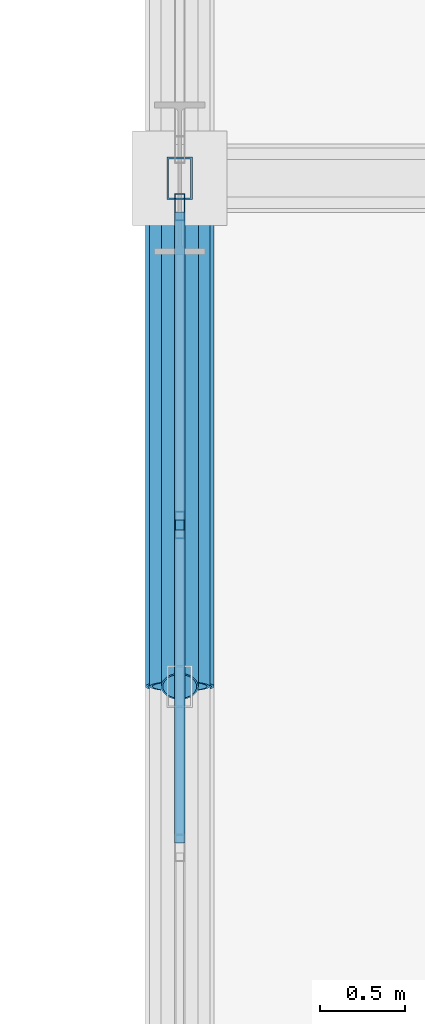
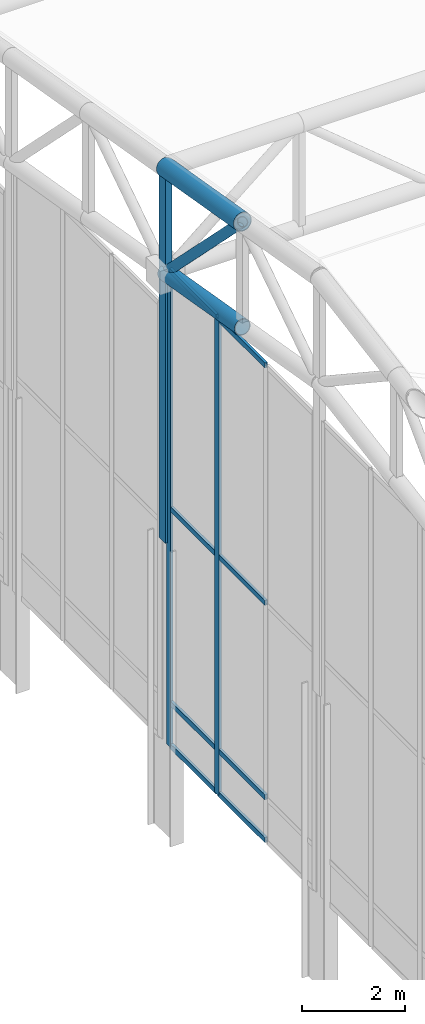
# One storey, part 86 of 239: 14 members, 1 element without a shape of its own.
"""IFC4 building model written with IfcOpenShell, lengths in metres."""

from ifc_helpers import new_model, si_unit, direction, frame, origin, origin_2d, place, context, subcontext, project, spatial, hollow_rectangle, hollow_circle, extrude, material, material_profile, profile_set, type_object, element, aggregate, save


model = new_model("IFC4")

# Units and contexts
model_context = context("Model", 3, precision=1e-05, world=origin(), true_north=direction((0.0, 1.0)))
body_context = subcontext(model_context, "Body", "Model", "MODEL_VIEW")
ifc_project = project(units=[si_unit("LENGTHUNIT", "METRE"), si_unit("AREAUNIT", "SQUARE_METRE"), si_unit("VOLUMEUNIT", "CUBIC_METRE"), si_unit("PLANEANGLEUNIT", "RADIAN"), si_unit("MASSUNIT", "GRAM", prefix="KILO")], contexts=[model_context])

# Site, building, storey
site_placement = place(None, origin())
site = spatial("IfcSite", under=ifc_project, at=site_placement, CompositionType="ELEMENT")
building_placement = place(site_placement, origin())
building = spatial("IfcBuilding", under=site, at=building_placement, Name="Kaldris Quays Convention Centre", CompositionType="ELEMENT")
storey_placement = place(building_placement, frame((0.0, 0.0, 11.39990234375)))
storey = spatial("IfcBuildingStorey", under=building, at=storey_placement, Name="L02", CompositionType="ELEMENT", Elevation=11.39990234375)

# Curtain wall, members
ifc_material_1 = material(Name="Anodized aluminium AW-6060 and triple glazing", Category="aluminium")
curtain_wall_type = type_object("IfcCurtainWallType", Name="UNITISED CURTAIN WALL CW03", PredefinedType="NOTDEFINED", material=ifc_material_1)
curtain_wall_placement = place(storey_placement, origin())
curtain_wall = element("IfcCurtainWall", 1, at=curtain_wall_placement, inside=storey, type_object=curtain_wall_type, Name="L02 Unitised Curtain Wall CW03 220", PredefinedType="NOTDEFINED")
ifc_material_2 = material(Name="Anodized aluminium AW-6060", Category="aluminium")
ifc_material_profile_1 = material_profile(ifc_material_2, hollow_rectangle(XDim=0.06005859375, YDim=0.159912109375, WallThickness=0.00390625, at=origin_2d()), Name="RHS 160x60x4")
ifc_profile_set_1 = profile_set([ifc_material_profile_1], Name="Anodized aluminium AW-6060")
member_type_1 = type_object("IfcMemberType", Name="CURTAIN MULLION CWM1", PredefinedType="MULLION", material=ifc_profile_set_1)
member_1_placement = place(storey_placement, frame((20.0, 101.953369140625, 2.195068359375), z_axis=(0.0, 0.0, 1.0), x_axis=(-1.0, 0.0, 0.0)))
member_1 = element("IfcMember", 2, at=member_1_placement, type_object=member_type_1, Name="CW03 mullion 3", PredefinedType="MULLION", context=body_context, shape_type="SweptSolid", body=[
    extrude(hollow_rectangle(XDim=0.06005859375, YDim=0.159912109375, WallThickness=0.00390625, at=origin_2d()), origin(), (0.0, 0.0, 1.0), 11.341064453125),
])
member_2_placement = place(storey_placement, frame((20.0, 103.830078125, 2.195068359375), z_axis=(0.0, 0.0, 1.0), x_axis=(-1.0, 0.0, 0.0)))
member_2 = element("IfcMember", 3, at=member_2_placement, type_object=member_type_1, Name="CW03 mullion 4", PredefinedType="MULLION", context=body_context, shape_type="SweptSolid", body=[
    extrude(hollow_rectangle(XDim=0.06005859375, YDim=0.159912109375, WallThickness=0.00390625, at=origin_2d()), origin(), (0.0, 0.0, 1.0), 11.341064453125),
])
ifc_material_profile_2 = material_profile(ifc_material_2, hollow_rectangle(XDim=0.06005859375, YDim=0.1201171875, WallThickness=0.00390625, at=origin_2d()), Name="RHS 120x60x4")
ifc_profile_set_2 = profile_set([ifc_material_profile_2], Name="Anodized aluminium AW-6060")
member_type_2 = type_object("IfcMemberType", Name="CURTAIN TRANSOM CWT1", PredefinedType="USERDEFINED", material=ifc_profile_set_2)
member_3_placement = place(storey_placement, frame((20.0, 100.07666015625, 2.22509765625), z_axis=(0.0, 1.0, 0.0), x_axis=(-1.0, 0.0, 0.0)))
member_3 = element("IfcMember", 4, at=member_3_placement, type_object=member_type_2, Name="CW03 transom 2.1", ObjectType="TRANSOM", PredefinedType="USERDEFINED", context=body_context, shape_type="SweptSolid", body=[
    extrude(hollow_rectangle(XDim=0.06005859375, YDim=0.1201171875, WallThickness=0.00390625, at=origin_2d()), origin(), (0.0, 0.0, 1.0), 1.8466796875),
])
member_4_placement = place(storey_placement, frame((20.0, 100.07666015625, 3.2451171875), z_axis=(0.0, 1.0, 0.0), x_axis=(-1.0, 0.0, 0.0)))
member_4 = element("IfcMember", 5, at=member_4_placement, type_object=member_type_2, Name="CW03 transom 2.2", ObjectType="TRANSOM", PredefinedType="USERDEFINED", context=body_context, shape_type="SweptSolid", body=[
    extrude(hollow_rectangle(XDim=0.06005859375, YDim=0.1201171875, WallThickness=0.00390625, at=origin_2d()), origin(), (0.0, 0.0, 1.0), 1.8466796875),
])
member_5_placement = place(storey_placement, frame((20.0, 100.07666015625, 7.864990234375), z_axis=(0.0, 1.0, 0.0), x_axis=(-1.0, 0.0, 0.0)))
member_5 = element("IfcMember", 6, at=member_5_placement, type_object=member_type_2, Name="CW03 transom 2.3", ObjectType="TRANSOM", PredefinedType="USERDEFINED", context=body_context, shape_type="SweptSolid", body=[
    extrude(hollow_rectangle(XDim=0.06005859375, YDim=0.1201171875, WallThickness=0.00390625, at=origin_2d()), origin(), (0.0, 0.0, 1.0), 1.8466796875),
])
member_6_placement = place(storey_placement, frame((20.0, 100.07666015625, 13.506103515625), z_axis=(0.0, 1.0, 0.0), x_axis=(-1.0, 0.0, 0.0)))
member_6 = element("IfcMember", 7, at=member_6_placement, type_object=member_type_2, Name="CW03 transom 2.4", ObjectType="TRANSOM", PredefinedType="USERDEFINED", context=body_context, shape_type="SweptSolid", body=[
    extrude(hollow_rectangle(XDim=0.06005859375, YDim=0.1201171875, WallThickness=0.00390625, at=origin_2d()), origin(), (0.0, 0.0, 1.0), 1.8466796875),
])
member_7_placement = place(storey_placement, frame((20.0, 101.9833984375, 2.22509765625), z_axis=(0.0, 1.0, 0.0), x_axis=(-1.0, 0.0, 0.0)))
member_7 = element("IfcMember", 8, at=member_7_placement, type_object=member_type_2, Name="CW03 transom 3.1", ObjectType="TRANSOM", PredefinedType="USERDEFINED", context=body_context, shape_type="SweptSolid", body=[
    extrude(hollow_rectangle(XDim=0.06005859375, YDim=0.1201171875, WallThickness=0.00390625, at=origin_2d()), origin(), (0.0, 0.0, 1.0), 1.816650390625),
])
member_8_placement = place(storey_placement, frame((20.0, 101.9833984375, 3.2451171875), z_axis=(0.0, 1.0, 0.0), x_axis=(-1.0, 0.0, 0.0)))
member_8 = element("IfcMember", 9, at=member_8_placement, type_object=member_type_2, Name="CW03 transom 3.2", ObjectType="TRANSOM", PredefinedType="USERDEFINED", context=body_context, shape_type="SweptSolid", body=[
    extrude(hollow_rectangle(XDim=0.06005859375, YDim=0.1201171875, WallThickness=0.00390625, at=origin_2d()), origin(), (0.0, 0.0, 1.0), 1.816650390625),
])
member_9_placement = place(storey_placement, frame((20.0, 101.9833984375, 7.864990234375), z_axis=(0.0, 1.0, 0.0), x_axis=(-1.0, 0.0, 0.0)))
member_9 = element("IfcMember", 10, at=member_9_placement, type_object=member_type_2, Name="CW03 transom 3.3", ObjectType="TRANSOM", PredefinedType="USERDEFINED", context=body_context, shape_type="SweptSolid", body=[
    extrude(hollow_rectangle(XDim=0.06005859375, YDim=0.1201171875, WallThickness=0.00390625, at=origin_2d()), origin(), (0.0, 0.0, 1.0), 1.816650390625),
])
member_10_placement = place(storey_placement, frame((20.0, 101.9833984375, 13.506103515625), z_axis=(0.0, 1.0, 0.0), x_axis=(-1.0, 0.0, 0.0)))
member_10 = element("IfcMember", 11, at=member_10_placement, type_object=member_type_2, Name="CW03 transom 3.4", ObjectType="TRANSOM", PredefinedType="USERDEFINED", context=body_context, shape_type="SweptSolid", body=[
    extrude(hollow_rectangle(XDim=0.06005859375, YDim=0.1201171875, WallThickness=0.00390625, at=origin_2d()), origin(), (0.0, 0.0, 1.0), 1.816650390625),
])
aggregate(curtain_wall, [member_1, member_2, member_3, member_4, member_5, member_6, member_7, member_8, member_9, member_10])

# Members
ifc_material_3 = material(Name="Steel S355J2H", Category="steel")
ifc_material_profile_3 = material_profile(ifc_material_3, hollow_circle(Radius=0.203125, WallThickness=0.01611328125, at=origin_2d()), Name="CHS 406.4x16")
ifc_profile_set_3 = profile_set([ifc_material_profile_3], Name="Steel S355J2H")
member_type_3 = type_object("IfcMemberType", Name="STRUCTURAL MEMBER SC01", PredefinedType="CHORD", material=ifc_profile_set_3)
member_11_placement = place(storey_placement, frame((20.0, 101.0, 16.357666015625), z_axis=(0.0, 0.985615766076, -0.169001661712), x_axis=(-1.0, 0.0, 0.0)))
element("IfcMember", 12, at=member_11_placement, inside=storey, type_object=member_type_3, Name="SF-V1 Top Chord Y 352", PredefinedType="CHORD", context=body_context, shape_type="SweptSolid", body=[
    extrude(hollow_circle(Radius=0.203125, WallThickness=0.01611328125, at=origin_2d()), origin(), (0.0, 0.0, 1.0), 3.043701171875),
])
ifc_material_profile_4 = material_profile(ifc_material_3, hollow_circle(Radius=0.177734375, WallThickness=0.01611328125, at=origin_2d()), Name="CHS 355.6x16")
ifc_profile_set_4 = profile_set([ifc_material_profile_4], Name="Steel S355J2H")
member_type_4 = type_object("IfcMemberType", Name="STRUCTURAL MEMBER SC02", PredefinedType="CHORD", material=ifc_profile_set_4)
member_12_placement = place(storey_placement, frame((20.0, 101.0, 13.857666015625), z_axis=(0.0, 0.985615766076, -0.169001661712), x_axis=(-1.0, 0.0, 0.0)))
element("IfcMember", 13, at=member_12_placement, inside=storey, type_object=member_type_4, Name="SF-V1 Bottom Chord Y 352", PredefinedType="CHORD", context=body_context, shape_type="SweptSolid", body=[
    extrude(hollow_circle(Radius=0.177734375, WallThickness=0.01611328125, at=origin_2d()), origin(), (0.0, 0.0, 1.0), 3.043701171875),
])
ifc_material_profile_5 = material_profile(ifc_material_3, hollow_circle(Radius=0.109619140625, WallThickness=0.010009765625, at=origin_2d()), Name="CHS 219.1x10")
ifc_profile_set_5 = profile_set([ifc_material_profile_5], Name="Steel S355J2H")
member_type_5 = type_object("IfcMemberType", Name="STRUCTURAL MEMBER SWB1", PredefinedType="BRACE", material=ifc_profile_set_5)
member_13_placement = place(storey_placement, frame((20.0, 104.0, 13.34326171875), z_axis=(0.0, -0.705411261057, 0.708798245465), x_axis=(1.0, 0.0, 0.0)))
element("IfcMember", 14, at=member_13_placement, inside=storey, type_object=member_type_5, Name="SF-V1 Web Diagonal Y 352", PredefinedType="BRACE", context=body_context, shape_type="SweptSolid", body=[
    extrude(hollow_circle(Radius=0.109619140625, WallThickness=0.010009765625, at=origin_2d()), origin(), (0.0, 0.0, 1.0), 4.2529296875),
])
ifc_material_profile_6 = material_profile(ifc_material_3, hollow_rectangle(XDim=0.14990234375, YDim=0.25, WallThickness=0.010009765625, at=origin_2d()), Name="RHS 250x150x10")
ifc_profile_set_6 = profile_set([ifc_material_profile_6], Name="Steel S355J2H")
member_type_6 = type_object("IfcMemberType", Name="STRUCTURAL MEMBER TTV1", PredefinedType="POST", material=ifc_profile_set_6)
member_14_placement = place(storey_placement, frame((20.0, 104.0, 6.994140625), z_axis=(0.0, 0.0, 1.0), x_axis=(1.0, 0.0, 0.0)))
element("IfcMember", 15, at=member_14_placement, inside=storey, type_object=member_type_6, Name="SF-V1 Space-Frame Post 17", PredefinedType="POST", context=body_context, shape_type="SweptSolid", body=[
    extrude(hollow_rectangle(XDim=0.14990234375, YDim=0.25, WallThickness=0.010009765625, at=origin_2d()), origin(), (0.0, 0.0, 1.0), 8.84912109375),
])

save(model, "model.ifc")
